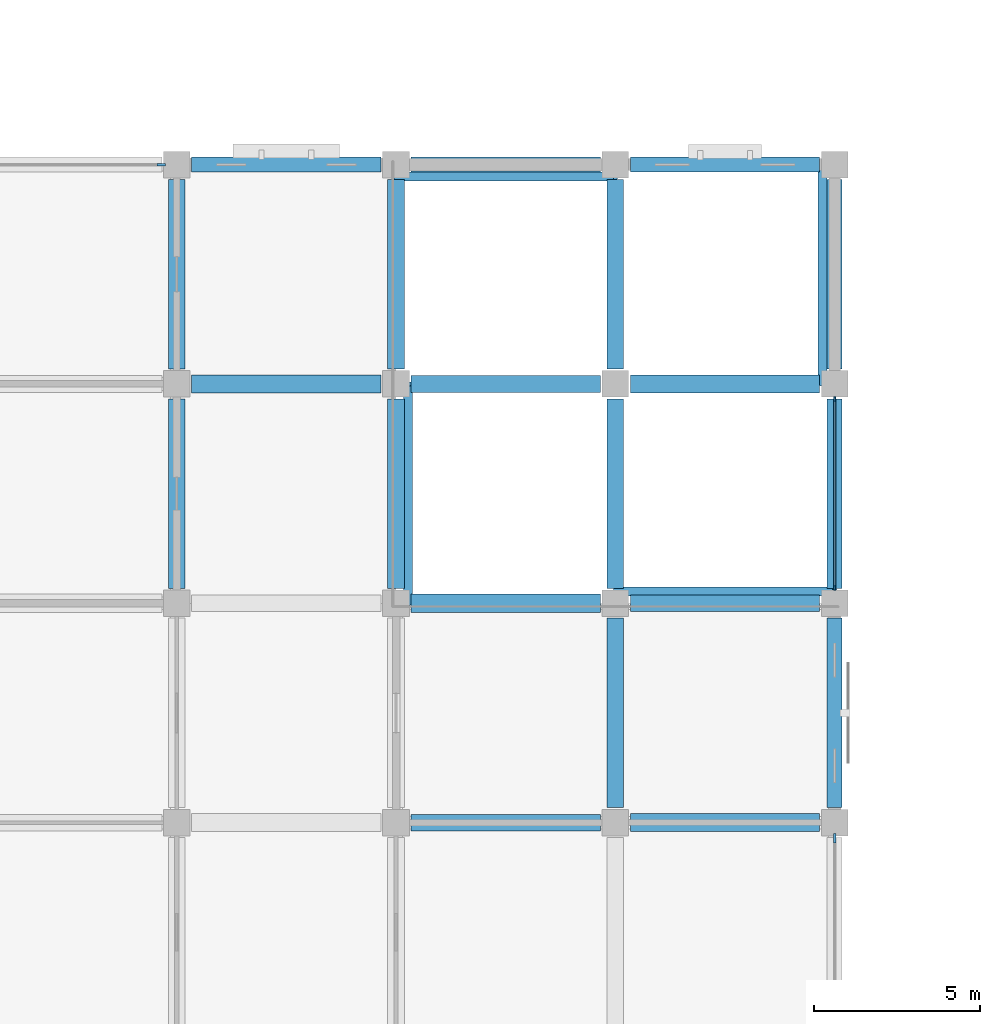
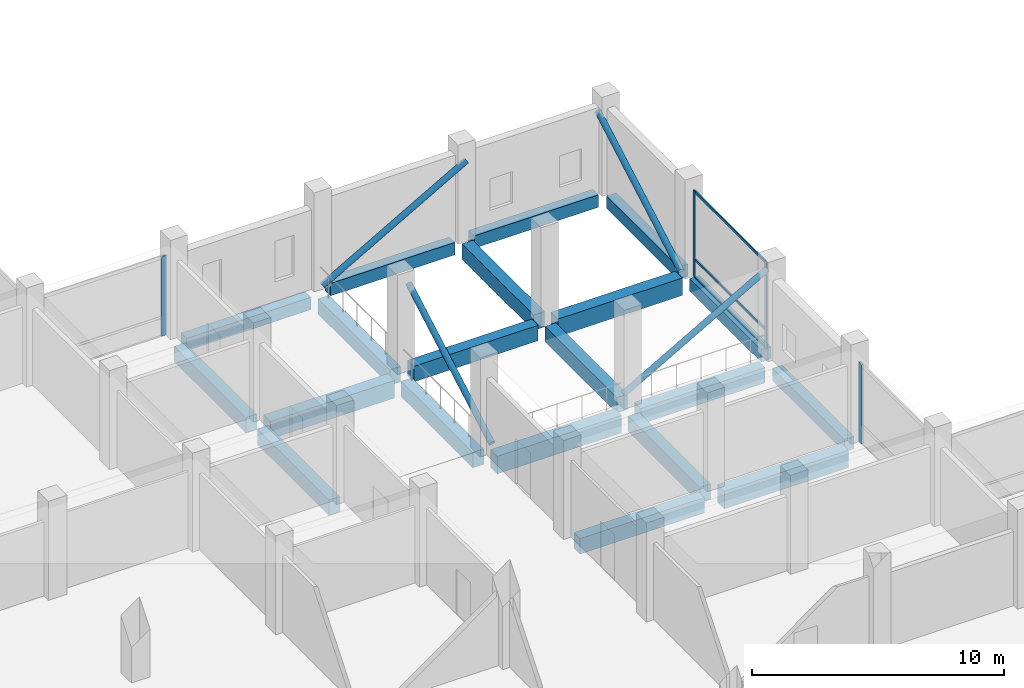
# One storey, part 6 of 34: 20 beams, 11 members, 3 elements without a shape of their own.
"""IFC4 building model written with IfcOpenShell, lengths in metres."""

from ifc_helpers import new_model, si_unit, direction, frame, origin, origin_2d, place, context, subcontext, project, spatial, rectangle, hollow_circle, extrude, material, material_profile, profile_set, type_object, element, aggregate, save


model = new_model("IFC4")

# Units and contexts
model_context = context("Model", 3, precision=1e-05, world=origin(), true_north=direction((0.0, 1.0)))
body_context = subcontext(model_context, "Body", "Model", "MODEL_VIEW")
ifc_project = project(units=[si_unit("LENGTHUNIT", "METRE"), si_unit("AREAUNIT", "SQUARE_METRE"), si_unit("VOLUMEUNIT", "CUBIC_METRE"), si_unit("PLANEANGLEUNIT", "RADIAN"), si_unit("MASSUNIT", "GRAM", prefix="KILO")], contexts=[model_context])

# Site, building, storey
site_placement = place(None, origin())
site = spatial("IfcSite", under=ifc_project, at=site_placement, CompositionType="ELEMENT")
building_placement = place(site_placement, origin())
building = spatial("IfcBuilding", under=site, at=building_placement, Name="Rusizi Kubbe Research Institute", CompositionType="ELEMENT")
storey_placement = place(building_placement, frame((0.0, 0.0, 5.39990234375)))
storey = spatial("IfcBuildingStorey", under=building, at=storey_placement, Name="L01", CompositionType="ELEMENT", Elevation=5.39990234375)

# Beams
ifc_material_1 = material(Name="Concrete C40/50", Category="concrete")
ifc_material_profile_1 = material_profile(ifc_material_1, rectangle(XDim=0.449951171875, YDim=0.60009765625, at=origin_2d()), Name="RC450x600")
ifc_profile_set_1 = profile_set([ifc_material_profile_1], Name="Concrete C40/50")
beam_type_1 = type_object("IfcBeamType", Name="BM-RC450x600", PredefinedType="SPANDREL", material=ifc_profile_set_1)
for number, where, z_axis, x_axis, name in (
    (1, (33.449951171875, 52.800048828125, -0.64990234375), (1.0, 0.0, 0.0), (0.0, 1.0, 0.0), "Grid Beam H L01 (5,8)"),
    (2, (40.050048828125, 52.800048828125, -0.2998046875), (1.0, 0.0, 0.0), (0.0, 1.0, 0.0), "Grid Beam H L01 (6,8)"),
):
    element("IfcBeam", number, at=place(storey_placement, frame(where, z_axis=z_axis, x_axis=x_axis)), inside=storey, type_object=beam_type_1, Name=name, PredefinedType="SPANDREL", context=body_context, shape_type="SweptSolid", body=[
        extrude(rectangle(XDim=0.449951171875, YDim=0.60009765625, at=origin_2d()), origin(), (0.0, 0.0, 1.0), 5.699951171875),
    ])
beam_1_placement = place(storey_placement, frame((46.64990234375, 52.800048828125, -0.2998046875), z_axis=(1.0, 0.0, 0.0), x_axis=(0.0, 1.0, 0.0)))
element("IfcBeam", 3, at=beam_1_placement, inside=storey, type_object=beam_type_1, Name="Grid Beam H L01 (7,8)", PredefinedType="SPANDREL", context=body_context, shape_type="SweptSolid", body=[
    extrude(rectangle(XDim=0.449951171875, YDim=0.60009765625, at=origin_2d()), origin(), (0.0, 0.0, 1.0), 5.7001953125),
])
for number, where, z_axis, x_axis, name in (
    (4, (52.800048828125, 33.449951171875, -0.64990234375), (0.0, 1.0, 0.0), (-1.0, 0.0, 0.0), "Grid Beam V L01 (8,5)"),
    (5, (52.800048828125, 40.050048828125, -0.2998046875), (0.0, 1.0, 0.0), (-1.0, 0.0, 0.0), "Grid Beam V L01 (8,6)"),
):
    element("IfcBeam", number, at=place(storey_placement, frame(where, z_axis=z_axis, x_axis=x_axis)), inside=storey, type_object=beam_type_1, Name=name, PredefinedType="SPANDREL", context=body_context, shape_type="SweptSolid", body=[
        extrude(rectangle(XDim=0.449951171875, YDim=0.60009765625, at=origin_2d()), origin(), (0.0, 0.0, 1.0), 5.699951171875),
    ])
beam_2_placement = place(storey_placement, frame((52.800048828125, 46.64990234375, -0.2998046875), z_axis=(0.0, 1.0, 0.0), x_axis=(-1.0, 0.0, 0.0)))
element("IfcBeam", 6, at=beam_2_placement, inside=storey, type_object=beam_type_1, Name="Grid Beam V L01 (8,7)", PredefinedType="SPANDREL", context=body_context, shape_type="SweptSolid", body=[
    extrude(rectangle(XDim=0.449951171875, YDim=0.60009765625, at=origin_2d()), origin(), (0.0, 0.0, 1.0), 5.7001953125),
])
ifc_material_2 = material(Name="Concrete C45/55", Category="concrete")
ifc_material_profile_2 = material_profile(ifc_material_2, rectangle(XDim=0.5, YDim=0.75, at=origin_2d()), Name="RC500x750B")
ifc_profile_set_2 = profile_set([ifc_material_profile_2], Name="Concrete C45/55")
beam_type_2 = type_object("IfcBeamType", Name="BM-RC500x750", PredefinedType="BEAM", material=ifc_profile_set_2)
for number, where, z_axis, x_axis, name in (
    (7, (40.050048828125, 33.0, -0.724853515625), (1.0, 0.0, 0.0), (0.0, 1.0, 0.0), "Grid Beam H L01 (6,5)"),
    (8, (40.050048828125, 46.199951171875, -0.375), (1.0, 0.0, 0.0), (0.0, 1.0, 0.0), "Grid Beam H L01 (6,7)"),
):
    element("IfcBeam", number, at=place(storey_placement, frame(where, z_axis=z_axis, x_axis=x_axis)), inside=storey, type_object=beam_type_2, Name=name, PredefinedType="BEAM", context=body_context, shape_type="SweptSolid", body=[
        extrude(rectangle(XDim=0.5, YDim=0.75, at=origin_2d()), origin(), (0.0, 0.0, 1.0), 5.699951171875),
    ])
beam_3_placement = place(storey_placement, frame((46.64990234375, 39.60009765625, -0.724853515625), z_axis=(1.0, 0.0, 0.0), x_axis=(0.0, 1.0, 0.0)))
element("IfcBeam", 9, at=beam_3_placement, inside=storey, type_object=beam_type_2, Name="Grid Beam H L01 (7,6)", PredefinedType="BEAM", context=body_context, shape_type="SweptSolid", body=[
    extrude(rectangle(XDim=0.5, YDim=0.75, at=origin_2d()), origin(), (0.0, 0.0, 1.0), 5.7001953125),
])
beam_4_placement = place(storey_placement, frame((33.0, 40.050048828125, -0.724853515625), z_axis=(0.0, 1.0, 0.0), x_axis=(-1.0, 0.0, 0.0)))
element("IfcBeam", 10, at=beam_4_placement, inside=storey, type_object=beam_type_2, Name="Grid Beam V L01 (5,6)", PredefinedType="BEAM", context=body_context, shape_type="SweptSolid", body=[
    extrude(rectangle(XDim=0.5, YDim=0.75, at=origin_2d()), origin(), (0.0, 0.0, 1.0), 5.699951171875),
])
beam_5_placement = place(storey_placement, frame((33.0, 46.64990234375, -0.724853515625), z_axis=(0.0, 1.0, 0.0), x_axis=(-1.0, 0.0, 0.0)))
element("IfcBeam", 11, at=beam_5_placement, inside=storey, type_object=beam_type_2, Name="Grid Beam V L01 (5,7)", PredefinedType="BEAM", context=body_context, shape_type="SweptSolid", body=[
    extrude(rectangle(XDim=0.5, YDim=0.75, at=origin_2d()), origin(), (0.0, 0.0, 1.0), 5.7001953125),
])
beam_6_placement = place(storey_placement, frame((39.60009765625, 40.050048828125, -0.724853515625), z_axis=(0.0, 1.0, 0.0), x_axis=(-1.0, 0.0, 0.0)))
element("IfcBeam", 12, at=beam_6_placement, inside=storey, type_object=beam_type_2, Name="Grid Beam V L01 (6,6)", PredefinedType="BEAM", context=body_context, shape_type="SweptSolid", body=[
    extrude(rectangle(XDim=0.5, YDim=0.75, at=origin_2d()), origin(), (0.0, 0.0, 1.0), 5.699951171875),
])
beam_7_placement = place(storey_placement, frame((39.60009765625, 46.64990234375, -0.724853515625), z_axis=(0.0, 1.0, 0.0), x_axis=(-1.0, 0.0, 0.0)))
element("IfcBeam", 13, at=beam_7_placement, inside=storey, type_object=beam_type_2, Name="Grid Beam V L01 (6,7)", PredefinedType="BEAM", context=body_context, shape_type="SweptSolid", body=[
    extrude(rectangle(XDim=0.5, YDim=0.75, at=origin_2d()), origin(), (0.0, 0.0, 1.0), 5.7001953125),
])
for number, where, z_axis, x_axis, name in (
    (14, (46.199951171875, 33.449951171875, -0.724853515625), (0.0, 1.0, 0.0), (-1.0, 0.0, 0.0), "Grid Beam V L01 (7,5)"),
    (15, (46.199951171875, 40.050048828125, -0.375), (0.0, 1.0, 0.0), (-1.0, 0.0, 0.0), "Grid Beam V L01 (7,6)"),
):
    element("IfcBeam", number, at=place(storey_placement, frame(where, z_axis=z_axis, x_axis=x_axis)), inside=storey, type_object=beam_type_2, Name=name, PredefinedType="BEAM", context=body_context, shape_type="SweptSolid", body=[
        extrude(rectangle(XDim=0.5, YDim=0.75, at=origin_2d()), origin(), (0.0, 0.0, 1.0), 5.699951171875),
    ])
beam_8_placement = place(storey_placement, frame((46.199951171875, 46.64990234375, -0.375), z_axis=(0.0, 1.0, 0.0), x_axis=(-1.0, 0.0, 0.0)))
element("IfcBeam", 16, at=beam_8_placement, inside=storey, type_object=beam_type_2, Name="Grid Beam V L01 (7,7)", PredefinedType="BEAM", context=body_context, shape_type="SweptSolid", body=[
    extrude(rectangle(XDim=0.5, YDim=0.75, at=origin_2d()), origin(), (0.0, 0.0, 1.0), 5.7001953125),
])
ifc_material_3 = material(Name="Concrete C45/55", Category="concrete")
ifc_material_profile_3 = material_profile(ifc_material_3, rectangle(XDim=0.550048828125, YDim=0.85009765625, at=origin_2d()), Name="RC550x850")
ifc_profile_set_3 = profile_set([ifc_material_profile_3], Name="Concrete C45/55")
beam_type_3 = type_object("IfcBeamType", Name="BM-RC550x850", PredefinedType="BEAM", material=ifc_profile_set_3)
for number, where, z_axis, x_axis, name in (
    (17, (33.449951171875, 46.199951171875, -0.77490234375), (1.0, 0.0, 0.0), (0.0, 1.0, 0.0), "Grid Beam H L01 (5,7)"),
    (18, (40.050048828125, 39.60009765625, -0.77490234375), (1.0, 0.0, 0.0), (0.0, 1.0, 0.0), "Grid Beam H L01 (6,6)"),
):
    element("IfcBeam", number, at=place(storey_placement, frame(where, z_axis=z_axis, x_axis=x_axis)), inside=storey, type_object=beam_type_3, Name=name, PredefinedType="BEAM", context=body_context, shape_type="SweptSolid", body=[
        extrude(rectangle(XDim=0.550048828125, YDim=0.85009765625, at=origin_2d()), origin(), (0.0, 0.0, 1.0), 5.699951171875),
    ])
for number, where, z_axis, x_axis, name in (
    (19, (46.64990234375, 33.0, -0.77490234375), (1.0, 0.0, 0.0), (0.0, 1.0, 0.0), "Grid Beam H L01 (7,5)"),
    (20, (46.64990234375, 46.199951171875, -0.4248046875), (1.0, 0.0, 0.0), (0.0, 1.0, 0.0), "Grid Beam H L01 (7,7)"),
):
    element("IfcBeam", number, at=place(storey_placement, frame(where, z_axis=z_axis, x_axis=x_axis)), inside=storey, type_object=beam_type_3, Name=name, PredefinedType="BEAM", context=body_context, shape_type="SweptSolid", body=[
        extrude(rectangle(XDim=0.550048828125, YDim=0.85009765625, at=origin_2d()), origin(), (0.0, 0.0, 1.0), 5.7001953125),
    ])

# Members
ifc_material_4 = material(Name="Steel S355", Category="steel")
ifc_material_profile_4 = material_profile(ifc_material_4, hollow_circle(Radius=0.136474609375, WallThickness=0.010009765625, at=origin_2d()), Name="CHS 273.0x10.0")
ifc_profile_set_4 = profile_set([ifc_material_profile_4], Name="Steel S355")
member_type_1 = type_object("IfcMemberType", Name="MB-CHS273", PredefinedType="BRACE", material=ifc_profile_set_4)
member_1_placement = place(storey_placement, frame((39.9599609375, 39.60009765625, 0.150146484375), z_axis=(0.0, 0.869451847873, 0.494017696272), x_axis=(-1.0, 0.0, 0.0)))
element("IfcMember", 21, at=member_1_placement, inside=storey, type_object=member_type_1, Name="Atrium Frame Lateral Brace L01-W", PredefinedType="BRACE", context=body_context, shape_type="SweptSolid", body=[
    extrude(hollow_circle(Radius=0.136474609375, WallThickness=0.010009765625, at=origin_2d()), origin(), (0.0, 0.0, 1.0), 7.5908203125),
])
member_2_placement = place(storey_placement, frame((46.199951171875, 39.9599609375, 0.150146484375), z_axis=(0.869459696941, 0.0, 0.494003881964), x_axis=(0.0, 1.0, 0.0)))
element("IfcMember", 22, at=member_2_placement, inside=storey, type_object=member_type_1, Name="Atrium Frame Lateral Brace L01-S", PredefinedType="BRACE", context=body_context, shape_type="SweptSolid", body=[
    extrude(hollow_circle(Radius=0.136474609375, WallThickness=0.010009765625, at=origin_2d()), origin(), (0.0, 0.0, 1.0), 7.591064453125),
])
member_3_placement = place(storey_placement, frame((39.60009765625, 52.43994140625, 0.150146484375), z_axis=(0.869451847873, 0.0, 0.494017696272), x_axis=(0.0, 1.0, 0.0)))
element("IfcMember", 23, at=member_3_placement, inside=storey, type_object=member_type_1, Name="Atrium Frame Lateral Brace L01-N", PredefinedType="BRACE", context=body_context, shape_type="SweptSolid", body=[
    extrude(hollow_circle(Radius=0.136474609375, WallThickness=0.010009765625, at=origin_2d()), origin(), (0.0, 0.0, 1.0), 7.5908203125),
])
member_4_placement = place(storey_placement, frame((52.43994140625, 46.199951171875, 0.150146484375), z_axis=(0.0, 0.869459696941, 0.494003881964), x_axis=(-1.0, 0.0, 0.0)))
element("IfcMember", 24, at=member_4_placement, inside=storey, type_object=member_type_1, Name="Atrium Frame Lateral Brace L01-E", PredefinedType="BRACE", context=body_context, shape_type="SweptSolid", body=[
    extrude(hollow_circle(Radius=0.136474609375, WallThickness=0.010009765625, at=origin_2d()), origin(), (0.0, 0.0, 1.0), 7.591064453125),
])

# Curtain wall, members
ifc_material_5 = material(Name="Thermally Broken Aluminium and Low-E Glazing", Category="aluminium")
curtain_wall_type_1 = type_object("IfcCurtainWallType", Name="CW-18", PredefinedType="NOTDEFINED", material=ifc_material_5)
curtain_wall_1_placement = place(storey_placement, origin())
curtain_wall_1 = element("IfcCurtainWall", 25, at=curtain_wall_1_placement, inside=storey, type_object=curtain_wall_type_1, Name="Unitised Facade Curtain Wall CW-L01-V-08-06", PredefinedType="NOTDEFINED")
ifc_material_6 = material(Name="Aluminium Alloy 6063-T6", Category="aluminium")
ifc_material_profile_5 = material_profile(ifc_material_6, rectangle(XDim=0.06005859375, YDim=0.14990234375, at=origin_2d()), Name="ALU-M 60x150")
ifc_profile_set_5 = profile_set([ifc_material_profile_5], Name="Aluminium Alloy 6063-T6")
member_type_2 = type_object("IfcMemberType", Name="ML-01", PredefinedType="MULLION", material=ifc_profile_set_5)
member_5_placement = place(storey_placement, frame((52.800048828125, 40.06005859375, 0.0), z_axis=(0.0, 0.0, 1.0), x_axis=(-1.0, 0.0, 0.0)))
member_5 = element("IfcMember", 26, at=member_5_placement, type_object=member_type_2, Name="CW-18 mullion 1", PredefinedType="MULLION", context=body_context, shape_type="SweptSolid", body=[
    extrude(rectangle(XDim=0.06005859375, YDim=0.14990234375, at=origin_2d()), origin(), (0.0, 0.0, 1.0), 4.2001953125),
])
member_6_placement = place(storey_placement, frame((52.800048828125, 45.739990234375, 0.0), z_axis=(0.0, 0.0, 1.0), x_axis=(-1.0, 0.0, 0.0)))
member_6 = element("IfcMember", 27, at=member_6_placement, type_object=member_type_2, Name="CW-18 mullion 2", PredefinedType="MULLION", context=body_context, shape_type="SweptSolid", body=[
    extrude(rectangle(XDim=0.06005859375, YDim=0.14990234375, at=origin_2d()), origin(), (0.0, 0.0, 1.0), 4.2001953125),
])

# Curtain wall, member
ifc_material_7 = material(Name="Thermally Broken Aluminium and Low-E Glazing", Category="aluminium")
curtain_wall_type_2 = type_object("IfcCurtainWallType", Name="CW-17", PredefinedType="NOTDEFINED", material=ifc_material_7)
curtain_wall_2_placement = place(storey_placement, origin())
curtain_wall_2 = element("IfcCurtainWall", 28, at=curtain_wall_2_placement, inside=storey, type_object=curtain_wall_type_2, Name="Unitised Facade Curtain Wall CW-L01-H-04-08", PredefinedType="NOTDEFINED")
ifc_material_8 = material(Name="Aluminium Alloy 6063-T6", Category="aluminium")
ifc_material_profile_6 = material_profile(ifc_material_8, rectangle(XDim=0.074951171875, YDim=0.25, at=origin_2d()), Name="ALU-M 75x250")
ifc_profile_set_6 = profile_set([ifc_material_profile_6], Name="Aluminium Alloy 6063-T6")
member_type_3 = type_object("IfcMemberType", Name="ML-05", PredefinedType="MULLION", material=ifc_profile_set_6)
member_7_placement = place(storey_placement, frame((32.532470703125, 52.800048828125, 0.0), z_axis=(0.0, 0.0, 1.0), x_axis=(0.0, 1.0, 0.0)))
member_7 = element("IfcMember", 29, at=member_7_placement, type_object=member_type_3, Name="CW-17 mullion 2", PredefinedType="MULLION", context=body_context, shape_type="SweptSolid", body=[
    extrude(rectangle(XDim=0.074951171875, YDim=0.25, at=origin_2d()), origin(), (0.0, 0.0, 1.0), 3.85009765625),
])
aggregate(curtain_wall_2, [member_7])

curtain_wall_3_placement = place(storey_placement, origin())
curtain_wall_3 = element("IfcCurtainWall", 30, at=curtain_wall_3_placement, inside=storey, type_object=curtain_wall_type_2, Name="Unitised Facade Curtain Wall CW-L01-V-08-04", PredefinedType="NOTDEFINED")
ifc_material_9 = material(Name="Aluminium Alloy 6063-T6", Category="aluminium")
ifc_material_profile_7 = material_profile(ifc_material_9, rectangle(XDim=0.080078125, YDim=0.280029296875, at=origin_2d()), Name="ALU-M 80x280")
ifc_profile_set_7 = profile_set([ifc_material_profile_7], Name="Aluminium Alloy 6063-T6")
member_type_4 = type_object("IfcMemberType", Name="ML-06", PredefinedType="MULLION", material=ifc_profile_set_7)
member_8_placement = place(storey_placement, frame((52.800048828125, 32.530029296875, 0.0), z_axis=(0.0, 0.0, 1.0), x_axis=(-1.0, 0.0, 0.0)))
member_8 = element("IfcMember", 31, at=member_8_placement, type_object=member_type_4, Name="CW-17 mullion 2", PredefinedType="MULLION", context=body_context, shape_type="SweptSolid", body=[
    extrude(rectangle(XDim=0.080078125, YDim=0.280029296875, at=origin_2d()), origin(), (0.0, 0.0, 1.0), 3.85009765625),
])
aggregate(curtain_wall_3, [member_8])

# Member
ifc_material_10 = material(Name="Aluminium Alloy 6063-T6", Category="aluminium")
ifc_material_profile_8 = material_profile(ifc_material_10, rectangle(XDim=0.06005859375, YDim=0.1201171875, at=origin_2d()), Name="ALU-T 60x120")
ifc_profile_set_8 = profile_set([ifc_material_profile_8], Name="Aluminium Alloy 6063-T6")
member_type_5 = type_object("IfcMemberType", Name="TR-01", PredefinedType="USERDEFINED", material=ifc_profile_set_8)
member_9_placement = place(storey_placement, frame((52.800048828125, 40.090087890625, 0.030029296875), z_axis=(0.0, 1.0, 0.0), x_axis=(-1.0, 0.0, 0.0)))
member_9 = element("IfcMember", 32, at=member_9_placement, type_object=member_type_5, Name="CW-18 transom 1.1", ObjectType="TRANSOM", PredefinedType="USERDEFINED", context=body_context, shape_type="SweptSolid", body=[
    extrude(rectangle(XDim=0.06005859375, YDim=0.1201171875, at=origin_2d()), origin(), (0.0, 0.0, 1.0), 5.619873046875),
])

member_10_placement = place(storey_placement, frame((52.800048828125, 40.090087890625, 0.900146484375), z_axis=(0.0, 1.0, 0.0), x_axis=(-1.0, 0.0, 0.0)))
member_10 = element("IfcMember", 33, at=member_10_placement, type_object=member_type_5, Name="CW-18 transom 1.2", ObjectType="TRANSOM", PredefinedType="USERDEFINED", context=body_context, shape_type="SweptSolid", body=[
    extrude(rectangle(XDim=0.06005859375, YDim=0.1201171875, at=origin_2d()), origin(), (0.0, 0.0, 1.0), 5.619873046875),
])

member_11_placement = place(storey_placement, frame((52.800048828125, 40.090087890625, 4.170166015625), z_axis=(0.0, 1.0, 0.0), x_axis=(-1.0, 0.0, 0.0)))
member_11 = element("IfcMember", 34, at=member_11_placement, type_object=member_type_5, Name="CW-18 transom 1.3", ObjectType="TRANSOM", PredefinedType="USERDEFINED", context=body_context, shape_type="SweptSolid", body=[
    extrude(rectangle(XDim=0.06005859375, YDim=0.1201171875, at=origin_2d()), origin(), (0.0, 0.0, 1.0), 5.619873046875),
])

aggregate(curtain_wall_1, [member_5, member_6, member_9, member_10, member_11])

save(model, "model.ifc")
